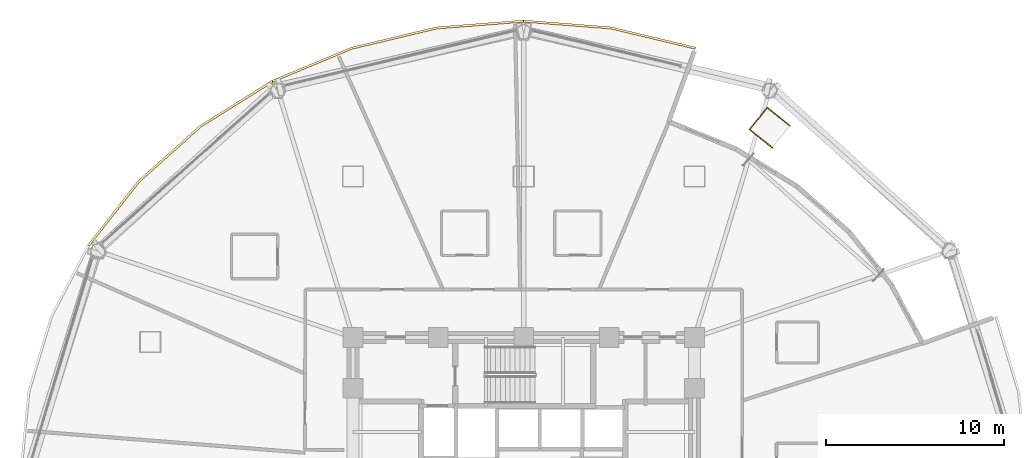
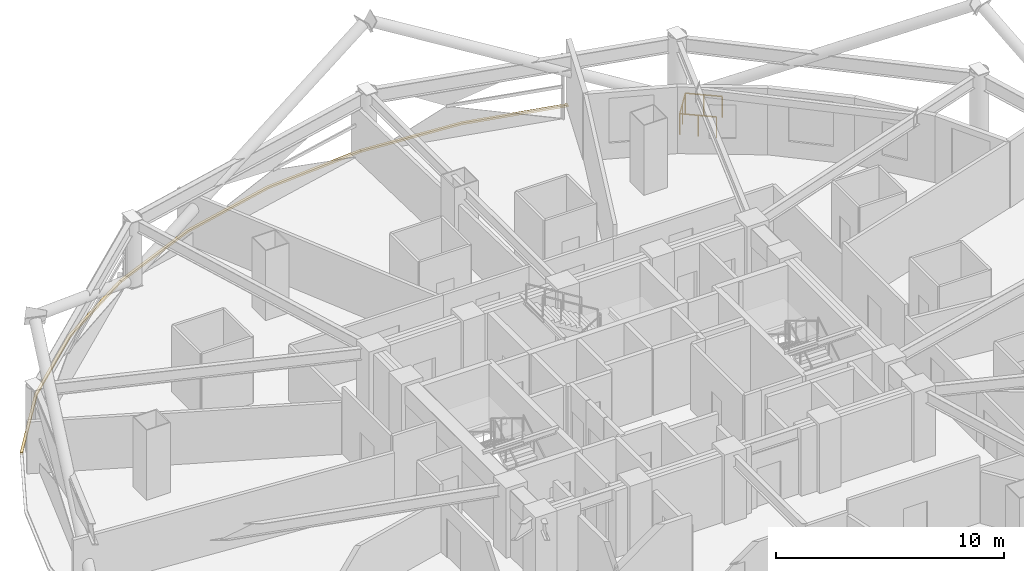
# One storey, part 33 of 33: 3 coverings, 1 railing.
"""IFC4 building model written with IfcOpenShell, lengths in metres."""

from ifc_helpers import new_model, si_unit, direction, frame, origin, origin_2d, place, context, subcontext, project, spatial, polyline, rectangle, outline, extrude, material, layer, layer_set, type_object, element, save


model = new_model("IFC4")

# Units and contexts
model_context = context("Model", 3, precision=1e-05, world=origin(), true_north=direction((0.0, 1.0)))
body_context = subcontext(model_context, "Body", "Model", "MODEL_VIEW")
ifc_project = project(units=[si_unit("LENGTHUNIT", "METRE"), si_unit("AREAUNIT", "SQUARE_METRE"), si_unit("VOLUMEUNIT", "CUBIC_METRE"), si_unit("PLANEANGLEUNIT", "RADIAN"), si_unit("MASSUNIT", "GRAM", prefix="KILO")], contexts=[model_context])

# Site, building, storey
site_placement = place(None, origin())
site = spatial("IfcSite", under=ifc_project, at=site_placement, CompositionType="ELEMENT")
building_placement = place(site_placement, origin())
building = spatial("IfcBuilding", under=site, at=building_placement, Name="Vantalir Tower", CompositionType="ELEMENT")
storey_placement = place(building_placement, frame((0.0, 0.0, 72.0)))
storey = spatial("IfcBuildingStorey", under=building, at=storey_placement, Name="L17", CompositionType="ELEMENT", Elevation=72.0)

# Coverings
ifc_material_1 = material(Name="Anodised champagne aluminium sill fascia", Category="aluminium")
ifc_layer = layer(ifc_material_1, 0.125)
ifc_layer_set = layer_set([ifc_layer], Name="Anodised champagne aluminium sill fascia")
covering_type = type_object("IfcCoveringType", Name="COV-SLAB-FASCIA-125", PredefinedType="CLADDING", material=ifc_layer_set)
covering_1_placement = place(storey_placement, frame((0.0, 0.0, -0.179931640625)))
element("IfcCovering", 1, at=covering_1_placement, inside=storey, type_object=covering_type, Name="L17 Perimeter Slab-Edge Sill Fascia 03", PredefinedType="CLADDING", context=body_context, shape_type="SweptSolid", body=[
    extrude(outline(polyline([(41.18798828125, 48.778076171875), (36.4189453125, 49.919921875), (31.5, 50.303955078125), (31.5, 50.178955078125), (36.39697265625, 49.7958984375), (41.14501953125, 48.660888671875), (41.18798828125, 48.778076171875)])), origin(), (0.0, 0.0, 1.0), 0.10498046875),
])
covering_2_placement = place(storey_placement, frame((0.0, 0.0, -0.179931640625)))
element("IfcCovering", 2, at=covering_2_placement, inside=storey, type_object=covering_type, Name="L17 Perimeter Slab-Edge Sill Fascia 04", PredefinedType="CLADDING", context=body_context, shape_type="SweptSolid", body=[
    extrude(outline(polyline([(31.5, 50.303955078125), (26.5810546875, 49.919921875), (21.81201171875, 48.778076171875), (17.337890625, 46.9140625), (17.39990234375, 46.805908203125), (21.85498046875, 48.660888671875), (26.60302734375, 49.7958984375), (31.5, 50.178955078125), (31.5, 50.303955078125)])), origin(), (0.0, 0.0, 1.0), 0.10498046875),
])
covering_3_placement = place(storey_placement, frame((0.0, 0.0, -0.179931640625)))
element("IfcCovering", 3, at=covering_3_placement, inside=storey, type_object=covering_type, Name="L17 Perimeter Slab-Edge Sill Fascia 05", PredefinedType="CLADDING", context=body_context, shape_type="SweptSolid", body=[
    extrude(outline(polyline([(17.337890625, 46.9140625), (13.29296875, 44.384033203125), (9.802001953125, 41.264892578125), (6.969970703125, 37.652099609375), (7.077880859375, 37.589111328125), (9.89794921875, 41.18505859375), (13.373046875, 44.2880859375), (17.39990234375, 46.805908203125), (17.337890625, 46.9140625)])), origin(), (0.0, 0.0, 1.0), 0.10498046875),
])

# Railing
ifc_material_2 = material(Name="Laminated safety glass and champagne-silver balustrade", Category="glass")
railing_type = type_object("IfcRailingType", Name="RAL-BALUSTRADE-1200", PredefinedType="BALUSTRADE", material=ifc_material_2)
railing_placement = place(storey_placement, frame((46.469970703125, 44.35400390625, 0.0)))
element("IfcRailing", 4, at=railing_placement, inside=storey, type_object=railing_type, Name="Sky Garden Stair SG1 Upper Gallery Guard", PredefinedType="BALUSTRADE", context=body_context, shape_type="SweptSolid", body=[
    extrude(rectangle(XDim=0.048095703125, YDim=0.048095703125, at=origin_2d()), frame((0.0, 0.0, 1.1259765625), z_axis=(-0.778086714643, 0.62815687889, 0.0), x_axis=(-0.62815687889, -0.778086714643, 0.0)), (0.0, 0.0, 1.0), 1.6396484375),
    extrude(rectangle(XDim=0.048095703125, YDim=0.048095703125, at=origin_2d()), frame((-1.27587890625, 1.030029296875, 1.1259765625), z_axis=(-0.628283497367, -0.777984477311, 0.0), x_axis=(0.777984477311, -0.628283497367, 0.0)), (0.0, 0.0, 1.0), 1.590087890625),
    extrude(rectangle(XDim=0.048095703125, YDim=0.048095703125, at=origin_2d()), frame((-2.27490234375, -0.20703125, 1.1259765625), z_axis=(0.778086714643, -0.62815687889, 0.0), x_axis=(0.62815687889, 0.778086714643, 0.0)), (0.0, 0.0, 1.0), 1.6396484375),
    extrude(rectangle(XDim=0.0419921875, YDim=0.0419921875, at=origin_2d()), origin(), (0.0, 0.0, 1.0), 1.101806640625),
    extrude(rectangle(XDim=0.0419921875, YDim=0.0419921875, at=origin_2d()), frame((-0.637939453125, 0.51513671875, 0.0)), (0.0, 0.0, 1.0), 1.101806640625),
    extrude(rectangle(XDim=0.0419921875, YDim=0.0419921875, at=origin_2d()), frame((-1.27587890625, 1.030029296875, 0.0)), (0.0, 0.0, 1.0), 1.101806640625),
    extrude(rectangle(XDim=0.0419921875, YDim=0.0419921875, at=origin_2d()), frame((-1.775390625, 0.41162109375, 0.0)), (0.0, 0.0, 1.0), 1.101806640625),
    extrude(rectangle(XDim=0.0419921875, YDim=0.0419921875, at=origin_2d()), frame((-2.27490234375, -0.20703125, 0.0)), (0.0, 0.0, 1.0), 1.101806640625),
    extrude(rectangle(XDim=0.0419921875, YDim=0.0419921875, at=origin_2d()), frame((-1.636962890625, -0.72216796875, 0.0)), (0.0, 0.0, 1.0), 1.101806640625),
    extrude(rectangle(XDim=0.0419921875, YDim=0.0419921875, at=origin_2d()), frame((-0.9990234375, -1.237060546875, 0.0)), (0.0, 0.0, 1.0), 1.101806640625),
])

save(model, "model.ifc")
